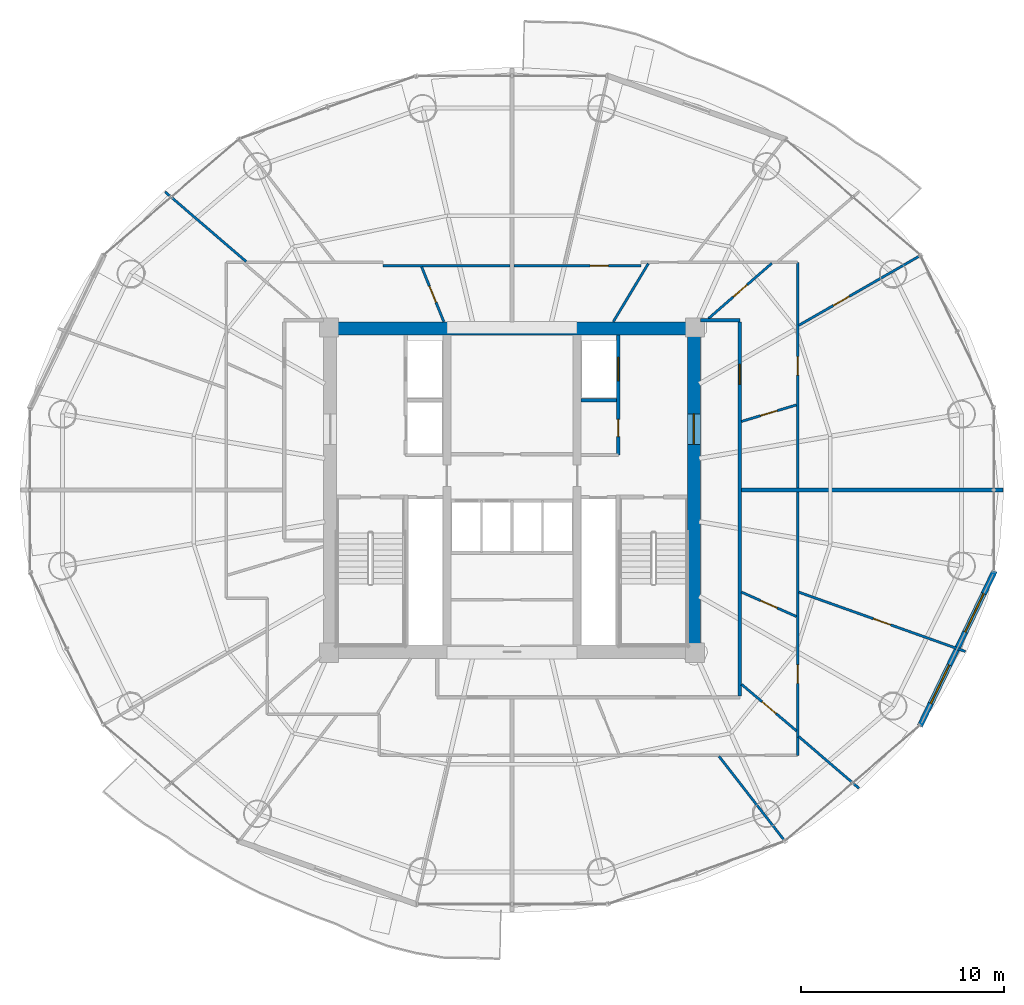
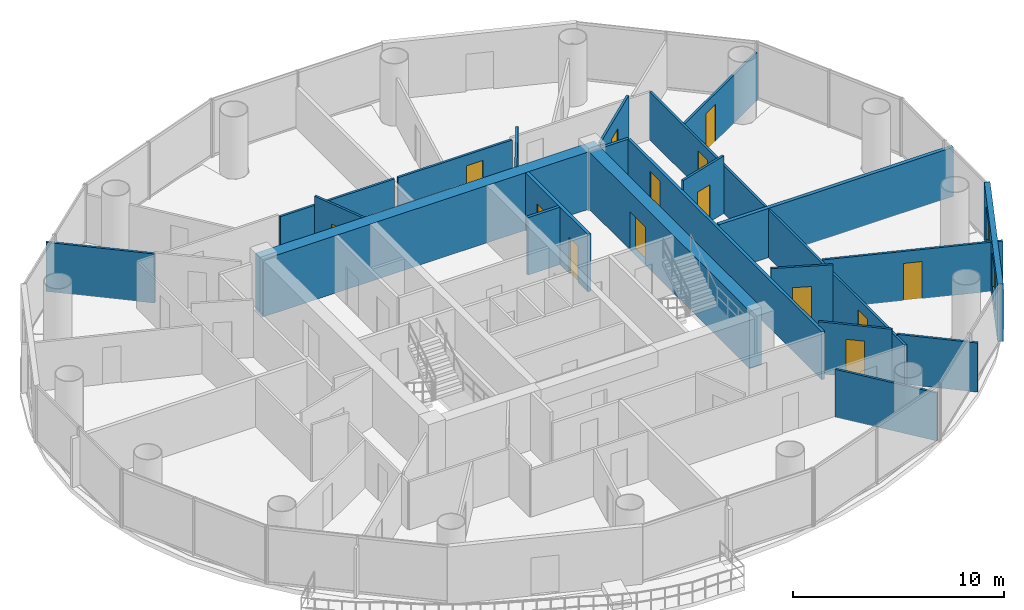
# One storey, part 23 of 27: 23 walls, 14 doors, 2 windows, 16 openings.
"""IFC4 building model written with IfcOpenShell, lengths in metres."""

from ifc_helpers import new_model, si_unit, direction, frame, frame_2d, origin, place, context, subcontext, project, spatial, rectangle, extrude, source, transform, mapped, material, layer, layer_set, type_object, element, fill, save


model = new_model("IFC4")

# Units and contexts
model_context = context("Model", 3, precision=1e-05, world=origin(), true_north=direction((-0.2419218956, 0.970295726276)))
body_context = subcontext(model_context, "Body", "Model", "MODEL_VIEW")
ifc_project = project(units=[si_unit("LENGTHUNIT", "METRE"), si_unit("AREAUNIT", "SQUARE_METRE"), si_unit("VOLUMEUNIT", "CUBIC_METRE"), si_unit("PLANEANGLEUNIT", "RADIAN"), si_unit("MASSUNIT", "GRAM", prefix="KILO")], contexts=[model_context])

# Site, building, storey
site_placement = place(None, origin())
site = spatial("IfcSite", under=ifc_project, at=site_placement, CompositionType="ELEMENT")
building_placement = place(site_placement, origin())
building = spatial("IfcBuilding", under=site, at=building_placement, Name="Cobrevalo Terracotta Tower", CompositionType="ELEMENT")
storey_placement = place(building_placement, frame((0.0, 0.0, 160.60009765625)))
storey = spatial("IfcBuildingStorey", under=building, at=storey_placement, Name="L42", CompositionType="ELEMENT", Elevation=160.60009765625)

# Wall
ifc_material_1 = material(Name="Concrete C55", Category="concrete")
ifc_layer_1 = layer(ifc_material_1, 0.64990234375)
ifc_layer_set_1 = layer_set([ifc_layer_1], Name="Concrete C55")
wall_type_1 = type_object("IfcWallType", Name="Core shear wall 650 mm Concrete C55", PredefinedType="SHEAR", material=ifc_layer_set_1)
wall_1_placement = place(storey_placement, frame((28.72509765625, 34.75, 0.0), z_axis=(0.0, 0.0, 1.0), x_axis=(1.0, 0.0, 0.0)))
element("IfcWall", 1, at=wall_1_placement, inside=storey, type_object=wall_type_1, Name="L42 north core shear wall", PredefinedType="SHEAR", context=body_context, shape_type="SweptSolid", body=[
    extrude(rectangle(XDim=18.5498046875, YDim=0.64990234375, at=frame_2d((9.27490234375, 0.0))), origin(), (0.0, 0.0, 1.0), 3.329833984375),
])

# Wall, opening, door
wall_2_placement = place(storey_placement, frame((46.949951171875, 19.175048828125, 0.0), z_axis=(0.0, 0.0, 1.0), x_axis=(0.0, 1.0, 0.0)))
wall_2 = element("IfcWall", 2, at=wall_2_placement, inside=storey, type_object=wall_type_1, Name="L42 east core shear wall", PredefinedType="SHEAR", context=body_context, shape_type="SweptSolid", body=[
    extrude(rectangle(XDim=15.25, YDim=0.64990234375, at=frame_2d((7.625, 0.0))), origin(), (0.0, 0.0, 1.0), 3.329833984375),
])
opening_1_placement = place(wall_2_placement, frame((9.875, 0.0, 0.0)))
opening_1 = element("IfcOpeningElement", 3, at=opening_1_placement, cuts=wall_2, Name="Opening ID-14", PredefinedType="OPENING", context=body_context, shape_type="SweptSolid", body=[
    extrude(rectangle(XDim=1.5, YDim=2.199951171875, at=frame_2d((0.75, 1.10009765625))), frame((0.0, 0.3349609375, 0.0), z_axis=(0.0, -1.0, 0.0), x_axis=(1.0, 0.0, 0.0)), (0.0, 0.0, 1.0), 0.669921875),
])
ifc_material_2 = material(Name="Galvanized fire-rated steel", Category="steel")
door_type_1 = type_object("IfcDoorType", Name="Core cross-lobby double fire door 1500x2200 EI 90", OperationType="NOTDEFINED", PredefinedType="DOOR", material=ifc_material_2)
shared_shape_1 = source(origin(), body_context, "Body", "SweptSolid", [
    extrude(rectangle(XDim=1.5, YDim=2.199951171875, at=frame_2d((0.75, 1.10009765625))), frame((0.0, 0.02490234375, 0.0), z_axis=(0.0, -1.0, 0.0), x_axis=(1.0, 0.0, 0.0)), (0.0, 0.0, 1.0), 0.050048828125),
])
door_1_placement = place(opening_1_placement, frame((1.5, 0.0, 0.0), z_axis=(0.0, 0.0, 1.0), x_axis=(-1.0, 0.0, 0.0)))
door_1 = element("IfcDoor", 4, at=door_1_placement, inside=storey, type_object=door_type_1, Name="L42 east firefighting lobby entrance door", OperationType="DOUBLE_DOOR_SINGLE_SWING", OverallHeight=2.199951171875, OverallWidth=1.5, PredefinedType="DOOR", context=body_context, shape_type="MappedRepresentation", body=[
    mapped(shared_shape_1, transform((0.0, 0.0, 0.0), scale=1.0)),
])
fill(opening_1, door_1)

# Wall
ifc_material_3 = material(Name="Gypsum board on steel stud", Category="steel")
ifc_layer_2 = layer(ifc_material_3, 0.159912109375)
ifc_layer_set_2 = layer_set([ifc_layer_2], Name="Gypsum board on steel stud")
wall_type_2 = type_object("IfcWallType", Name="Fire-rated corridor acoustic partition wall 160 mm", PredefinedType="PARTITIONING", material=ifc_layer_set_2)
wall_3_placement = place(storey_placement, frame((41.389892578125, 31.219970703125, 0.0), z_axis=(0.0, 0.0, 1.0), x_axis=(1.0, 0.0, 0.0)))
element("IfcWall", 5, at=wall_3_placement, inside=storey, type_object=wall_type_2, Name="L42 interior partition IW-L42-FF2-M", PredefinedType="PARTITIONING", context=body_context, shape_type="SweptSolid", body=[
    extrude(rectangle(XDim=1.75, YDim=0.159912109375, at=frame_2d((0.875, 0.0))), origin(), (0.0, 0.0, 1.0), 3.329833984375),
])

# Wall, opening, door
wall_4_placement = place(storey_placement, frame((49.205078125, 16.675048828125, 0.0), z_axis=(0.0, 0.0, 1.0), x_axis=(0.0, 1.0, 0.0)))
wall_4 = element("IfcWall", 6, at=wall_4_placement, inside=storey, type_object=wall_type_2, Name="L42 interior partition IW-L42-COR-E", PredefinedType="PARTITIONING", context=body_context, shape_type="SweptSolid", body=[
    extrude(rectangle(XDim=18.39990234375, YDim=0.159912109375, at=frame_2d((9.199951171875, 0.0))), origin(), (0.0, 0.0, 1.0), 2.77587890625),
])
opening_2_placement = place(wall_4_placement, frame((15.326416015625, 0.0, 0.0)))
opening_2 = element("IfcOpeningElement", 7, at=opening_2_placement, cuts=wall_4, Name="Opening ID-05", PredefinedType="OPENING", context=body_context, shape_type="SweptSolid", body=[
    extrude(rectangle(XDim=0.97998046875, YDim=2.199951171875, at=frame_2d((0.489990234375, 1.10009765625))), frame((0.0, 0.08984375, 0.0), z_axis=(0.0, -1.0, 0.0), x_axis=(1.0, 0.0, 0.0)), (0.0, 0.0, 1.0), 0.179931640625),
])
ifc_material_4 = material(Name="Solid hardwood timber", Category="wood")
door_type_2 = type_object("IfcDoorType", Name="Residence entrance fire-rated acoustic timber door 980x2200 EI 60", OperationType="NOTDEFINED", PredefinedType="DOOR", material=ifc_material_4)
shared_shape_2 = source(origin(), body_context, "Body", "SweptSolid", [
    extrude(rectangle(XDim=0.97998046875, YDim=2.199951171875, at=frame_2d((0.489990234375, 1.10009765625))), frame((0.0, 0.02490234375, 0.0), z_axis=(0.0, -1.0, 0.0), x_axis=(1.0, 0.0, 0.0)), (0.0, 0.0, 1.0), 0.050048828125),
])
door_2_placement = place(opening_2_placement, frame((0.97998046875, 0.0, 0.0), z_axis=(0.0, 0.0, 1.0), x_axis=(-1.0, 0.0, 0.0)))
door_2 = element("IfcDoor", 8, at=door_2_placement, inside=storey, type_object=door_type_2, Name="Flat L42A fire-rated apartment entrance door", OperationType="SINGLE_SWING_LEFT", OverallHeight=2.199951171875, OverallWidth=0.97998046875, PredefinedType="DOOR", context=body_context, shape_type="MappedRepresentation", body=[
    mapped(shared_shape_2, transform((0.0, 0.0, 0.0), scale=1.0)),
])
fill(opening_2, door_2)

# Wall
wall_5_placement = place(storey_placement, frame((47.27490234375, 35.155029296875, 0.0), z_axis=(0.0, 0.0, 1.0), x_axis=(1.0, 0.0, 0.0)))
element("IfcWall", 9, at=wall_5_placement, inside=storey, type_object=wall_type_2, Name="L42 interior partition IW-L42-COR-EN-CAP", PredefinedType="PARTITIONING", context=body_context, shape_type="SweptSolid", body=[
    extrude(rectangle(XDim=1.93017578125, YDim=0.159912109375, at=frame_2d((0.965087890625, 0.0))), origin(), (0.0, 0.0, 1.0), 2.77587890625),
])

# Wall, openings, doors
ifc_layer_3 = layer(ifc_material_3, 0.179931640625)
ifc_layer_set_3 = layer_set([ifc_layer_3], Name="Gypsum board on steel stud")
wall_type_3 = type_object("IfcWallType", Name="Fire-rated shaft & lobby acoustic partition wall 180 mm", PredefinedType="PARTITIONING", material=ifc_layer_set_3)
wall_6_placement = place(storey_placement, frame((43.22998046875, 28.52001953125, 0.0), z_axis=(0.0, 0.0, 1.0), x_axis=(0.0, 1.0, 0.0)))
wall_6 = element("IfcWall", 10, at=wall_6_placement, inside=storey, type_object=wall_type_3, Name="L42 interior partition IW-L42-FF2-E", PredefinedType="PARTITIONING", context=body_context, shape_type="SweptSolid", body=[
    extrude(rectangle(XDim=5.905029296875, YDim=0.179931640625, at=frame_2d((2.95263671875, 0.0))), origin(), (0.0, 0.0, 1.0), 3.329833984375),
])
opening_3_placement = place(wall_6_placement, frame((0.905029296875, 0.0, 0.0)))
opening_3 = element("IfcOpeningElement", 11, at=opening_3_placement, cuts=wall_6, Name="Opening ID-22", PredefinedType="OPENING", context=body_context, shape_type="SweptSolid", body=[
    extrude(rectangle(XDim=0.85009765625, YDim=2.10009765625, at=frame_2d((0.425048828125, 1.050048828125))), frame((0.0, 0.10009765625, 0.0), z_axis=(0.0, -1.0, 0.0), x_axis=(1.0, 0.0, 0.0)), (0.0, 0.0, 1.0), 0.199951171875),
])
opening_4_placement = place(wall_6_placement, frame((3.655029296875, 0.0, 0.0)))
opening_4 = element("IfcOpeningElement", 12, at=opening_4_placement, cuts=wall_6, Name="Opening LD-02", PredefinedType="OPENING", context=body_context, shape_type="SweptSolid", body=[
    extrude(rectangle(XDim=1.14990234375, YDim=2.199951171875, at=frame_2d((0.574951171875, 1.10009765625))), frame((0.0, 0.10009765625, 0.0), z_axis=(0.0, -1.0, 0.0), x_axis=(1.0, 0.0, 0.0)), (0.0, 0.0, 1.0), 0.199951171875),
])
ifc_material_5 = material(Name="Powder-coated steel", Category="steel")
door_type_3 = type_object("IfcDoorType", Name="Riser shaft & meter closet fire access door 850x2100 EI 60", OperationType="NOTDEFINED", PredefinedType="DOOR", material=ifc_material_5)
shared_shape_3 = source(origin(), body_context, "Body", "SweptSolid", [
    extrude(rectangle(XDim=0.85009765625, YDim=2.10009765625, at=frame_2d((0.425048828125, 1.050048828125))), frame((0.0, 0.02490234375, 0.0), z_axis=(0.0, -1.0, 0.0), x_axis=(1.0, 0.0, 0.0)), (0.0, 0.0, 1.0), 0.050048828125),
])
door_3_placement = place(opening_3_placement, frame((0.85009765625, 0.0, 0.0), z_axis=(0.0, 0.0, 1.0), x_axis=(-1.0, 0.0, 0.0)))
door_3 = element("IfcDoor", 13, at=door_3_placement, inside=storey, type_object=door_type_3, Name="L42 housekeeping store door", OperationType="SINGLE_SWING_RIGHT", OverallHeight=2.10009765625, OverallWidth=0.85009765625, PredefinedType="DOOR", context=body_context, shape_type="MappedRepresentation", body=[
    mapped(shared_shape_3, transform((0.0, 0.0, 0.0), scale=1.0)),
])
fill(opening_3, door_3)
ifc_material_6 = material(Name="Brushed stainless steel", Category="steel")
door_type_4 = type_object("IfcDoorType", Name="Firefighting lift landing bi-parting sliding door 1150x2200 EI 120", OperationType="DOUBLE_DOOR_SLIDING", PredefinedType="DOOR", material=ifc_material_6)
shared_shape_4 = source(origin(), body_context, "Body", "SweptSolid", [
    extrude(rectangle(XDim=1.14990234375, YDim=2.199951171875, at=frame_2d((0.574951171875, 1.10009765625))), frame((0.0, 0.02490234375, 0.0), z_axis=(0.0, -1.0, 0.0), x_axis=(1.0, 0.0, 0.0)), (0.0, 0.0, 1.0), 0.050048828125),
])
door_4_placement = place(opening_4_placement, origin())
door_4 = element("IfcDoor", 14, at=door_4_placement, inside=storey, type_object=door_type_4, Name="L42 lift landing door FF-2", OperationType="DOUBLE_DOOR_SLIDING", OverallHeight=2.199951171875, OverallWidth=1.14990234375, PredefinedType="DOOR", context=body_context, shape_type="MappedRepresentation", body=[
    mapped(shared_shape_4, transform((0.0, 0.0, 0.0), scale=1.0)),
])
fill(opening_4, door_4)

# Wall
ifc_material_7 = material(Name="Autoclaved aerated concrete block", Category="concrete")
ifc_layer_4 = layer(ifc_material_7, 0.199951171875)
ifc_layer_set_4 = layer_set([ifc_layer_4], Name="Autoclaved aerated concrete block")
wall_type_4 = type_object("IfcWallType", Name="Fire-rated stair, shaft & demising masonry wall 200 mm", PredefinedType="PARTITIONING", material=ifc_layer_set_4)
wall_7_placement = place(storey_placement, frame((49.287109375, 26.800048828125, 0.0), z_axis=(0.0, 0.0, 1.0), x_axis=(1.0, 0.0, 0.0)))
element("IfcWall", 15, at=wall_7_placement, inside=storey, type_object=wall_type_4, Name="L42 interior partition IW-L42-DEM-1", PredefinedType="PARTITIONING", context=body_context, shape_type="SweptSolid", body=[
    extrude(rectangle(XDim=12.852783203125, YDim=0.199951171875, at=frame_2d((6.42626953125, 0.0))), origin(), (0.0, 0.0, 1.0), 2.845947265625),
])

# Wall, openings, windows
ifc_layer_5 = layer(ifc_material_7, 0.280029296875)
ifc_layer_set_5 = layer_set([ifc_layer_5], Name="Autoclaved aerated concrete block")
wall_type_5 = type_object("IfcWallType", Name="Insulated tower spandrel & pier wall 280 mm with terracotta rainscreen", PredefinedType="SOLIDWALL", material=ifc_layer_set_5)
wall_8_placement = place(storey_placement, frame((58.061767578125, 15.188720703125, 0.0), z_axis=(0.0, 0.0, 1.0), x_axis=(0.434209827226, 0.900811759437, 0.0)))
wall_8 = element("IfcWall", 16, at=wall_8_placement, inside=storey, type_object=wall_type_5, Name="L42 terracotta rainscreen pier wall S15", PredefinedType="SOLIDWALL", context=body_context, shape_type="SweptSolid", body=[
    extrude(rectangle(XDim=8.4716796875, YDim=0.280029296875, at=frame_2d((4.23583984375, 0.0))), origin(), (0.0, 0.0, 1.0), 3.329833984375),
])
opening_5_placement = place(wall_8_placement, frame((1.2373046875, 0.0, 0.85009765625)))
opening_5 = element("IfcOpeningElement", 17, at=opening_5_placement, cuts=wall_8, Name="Opening WN-10", PredefinedType="OPENING", context=body_context, shape_type="SweptSolid", body=[
    extrude(rectangle(XDim=2.10009765625, YDim=1.949951171875, at=frame_2d((1.050048828125, 0.97509765625))), frame((0.0, 0.14990234375, 0.0), z_axis=(0.0, -1.0, 0.0), x_axis=(1.0, 0.0, 0.0)), (0.0, 0.0, 1.0), 0.300048828125),
])
opening_6_placement = place(wall_8_placement, frame((5.13427734375, 0.0, 0.85009765625)))
opening_6 = element("IfcOpeningElement", 18, at=opening_6_placement, cuts=wall_8, Name="Opening WN-10", PredefinedType="OPENING", context=body_context, shape_type="SweptSolid", body=[
    extrude(rectangle(XDim=2.10009765625, YDim=1.949951171875, at=frame_2d((1.050048828125, 0.97509765625))), frame((0.0, 0.14990234375, 0.0), z_axis=(0.0, -1.0, 0.0), x_axis=(1.0, 0.0, 0.0)), (0.0, 0.0, 1.0), 0.300048828125),
])
ifc_material_8 = material(Name="Solar-control low-E double glazing", Category="glass")
window_type = type_object("IfcWindowType", Name="Wide panoramic low-E aluminium window 2100x1950", PartitioningType="SINGLE_PANEL", PredefinedType="WINDOW", material=ifc_material_8)
shared_shape_5 = source(origin(), body_context, "Body", "SweptSolid", [
    extrude(rectangle(XDim=2.10009765625, YDim=1.949951171875, at=frame_2d((1.050048828125, 0.97509765625))), frame((0.0, 0.030029296875, 0.0), z_axis=(0.0, -1.0, 0.0), x_axis=(1.0, 0.0, 0.0)), (0.0, 0.0, 1.0), 0.06005859375),
])
window_1_placement = place(opening_5_placement, origin())
window_1 = element("IfcWindow", 19, at=window_1_placement, inside=storey, type_object=window_type, Name="L42 suite window S15A", OverallHeight=1.949951171875, OverallWidth=2.10009765625, PartitioningType="SINGLE_PANEL", PredefinedType="WINDOW", context=body_context, shape_type="MappedRepresentation", body=[
    mapped(shared_shape_5, transform((0.0, 0.0, 0.0), scale=1.0)),
])
fill(opening_5, window_1)
window_2_placement = place(opening_6_placement, origin())
window_2 = element("IfcWindow", 20, at=window_2_placement, inside=storey, type_object=window_type, Name="L42 suite window S15B", OverallHeight=1.949951171875, OverallWidth=2.10009765625, PartitioningType="SINGLE_PANEL", PredefinedType="WINDOW", context=body_context, shape_type="MappedRepresentation", body=[
    mapped(shared_shape_5, transform((0.0, 0.0, 0.0), scale=1.0)),
])
fill(opening_6, window_2)

# Wall, opening, door
ifc_layer_6 = layer(ifc_material_3, 0.1201171875)
ifc_layer_set_6 = layer_set([ifc_layer_6], Name="Gypsum board on steel stud")
wall_type_6 = type_object("IfcWallType", Name="Residential internal acoustic stud partition 120 mm", PredefinedType="PARTITIONING", material=ifc_layer_set_6)
wall_9_placement = place(storey_placement, frame((38.10205078125, 37.8349609375, 0.0), z_axis=(0.0, 0.0, 1.0), x_axis=(1.0, 0.0, 0.0)))
wall_9 = element("IfcWall", 21, at=wall_9_placement, inside=storey, type_object=wall_type_6, Name="L42 interior partition IW-L42-U1-RING0_0", PredefinedType="PARTITIONING", context=body_context, shape_type="SweptSolid", body=[
    extrude(rectangle(XDim=6.2529296875, YDim=0.1201171875, at=frame_2d((3.12646484375, 0.0))), origin(), (0.0, 0.0, 1.0), 2.77587890625),
])
opening_7_placement = place(wall_9_placement, frame((3.742431640625, 0.0, 0.0)))
opening_7 = element("IfcOpeningElement", 22, at=opening_7_placement, cuts=wall_9, Name="Opening ID-12", PredefinedType="OPENING", context=body_context, shape_type="SweptSolid", body=[
    extrude(rectangle(XDim=0.89990234375, YDim=2.14990234375, at=frame_2d((0.449951171875, 1.074951171875))), frame((0.0, 0.070068359375, 0.0), z_axis=(0.0, -1.0, 0.0), x_axis=(1.0, 0.0, 0.0)), (0.0, 0.0, 1.0), 0.14013671875),
])
ifc_material_9 = material(Name="Engineered timber", Category="wood")
door_type_5 = type_object("IfcDoorType", Name="Internal residence & suite timber door 900x2150", OperationType="NOTDEFINED", PredefinedType="DOOR", material=ifc_material_9)
shared_shape_6 = source(origin(), body_context, "Body", "SweptSolid", [
    extrude(rectangle(XDim=0.89990234375, YDim=2.14990234375, at=frame_2d((0.449951171875, 1.074951171875))), frame((0.0, 0.02490234375, 0.0), z_axis=(0.0, -1.0, 0.0), x_axis=(1.0, 0.0, 0.0)), (0.0, 0.0, 1.0), 0.050048828125),
])
door_5_placement = place(opening_7_placement, frame((0.89990234375, 0.0, 0.0), z_axis=(0.0, 0.0, 1.0), x_axis=(-1.0, 0.0, 0.0)))
door_5 = element("IfcDoor", 23, at=door_5_placement, inside=storey, type_object=door_type_5, Name="Flat L42A Private Library Meeting Room internal door", OperationType="SINGLE_SWING_RIGHT", OverallHeight=2.14990234375, OverallWidth=0.89990234375, PredefinedType="DOOR", context=body_context, shape_type="MappedRepresentation", body=[
    mapped(shared_shape_6, transform((0.0, 0.0, 0.0), scale=1.0)),
])
fill(opening_7, door_5)

wall_10_placement = place(storey_placement, frame((52.044921875, 37.9951171875, 0.0), z_axis=(0.0, 0.0, 1.0), x_axis=(0.0, -1.0, 0.0)))
wall_10 = element("IfcWall", 24, at=wall_10_placement, inside=storey, type_object=wall_type_6, Name="L42 interior partition IW-L42-U1-RING3_0", PredefinedType="PARTITIONING", context=body_context, shape_type="SweptSolid", body=[
    extrude(rectangle(XDim=11.093017578125, YDim=0.1201171875, at=frame_2d((5.54638671875, 0.0))), origin(), (0.0, 0.0, 1.0), 2.77587890625),
])
opening_8_placement = place(wall_10_placement, frame((4.637939453125, 0.0, 0.0)))
opening_8 = element("IfcOpeningElement", 25, at=opening_8_placement, cuts=wall_10, Name="Opening ID-12", PredefinedType="OPENING", context=body_context, shape_type="SweptSolid", body=[
    extrude(rectangle(XDim=0.89990234375, YDim=2.14990234375, at=frame_2d((0.449951171875, 1.074951171875))), frame((0.0, 0.070068359375, 0.0), z_axis=(0.0, -1.0, 0.0), x_axis=(1.0, 0.0, 0.0)), (0.0, 0.0, 1.0), 0.14013671875),
])
door_6_placement = place(opening_8_placement, origin())
door_6 = element("IfcDoor", 26, at=door_6_placement, inside=storey, type_object=door_type_5, Name="Flat L42A Penthouse Living and Dining Room internal door", OperationType="SINGLE_SWING_LEFT", OverallHeight=2.14990234375, OverallWidth=0.89990234375, PredefinedType="DOOR", context=body_context, shape_type="MappedRepresentation", body=[
    mapped(shared_shape_6, transform((0.0, 0.0, 0.0), scale=1.0)),
])
fill(opening_8, door_6)

wall_11_placement = place(storey_placement, frame((52.098876953125, 34.89697265625, 0.0), z_axis=(0.0, 0.0, 1.0), x_axis=(0.867170536447, 0.498011305813, 0.0)))
wall_11 = element("IfcWall", 27, at=wall_11_placement, inside=storey, type_object=wall_type_6, Name="L42 interior partition IW-L42-U1-ORAD1", PredefinedType="PARTITIONING", context=body_context, shape_type="SweptSolid", body=[
    extrude(rectangle(XDim=6.834228515625, YDim=0.1201171875, at=frame_2d((3.4169921875, 0.0))), origin(), (0.0, 0.0, 1.0), 2.77587890625),
])
opening_9_placement = place(wall_11_placement, frame((1.969482421875, 0.0, 0.0)))
opening_9 = element("IfcOpeningElement", 28, at=opening_9_placement, cuts=wall_11, Name="Opening ID-12", PredefinedType="OPENING", context=body_context, shape_type="SweptSolid", body=[
    extrude(rectangle(XDim=0.89990234375, YDim=2.14990234375, at=frame_2d((0.449951171875, 1.074951171875))), frame((0.0, 0.070068359375, 0.0), z_axis=(0.0, -1.0, 0.0), x_axis=(1.0, 0.0, 0.0)), (0.0, 0.0, 1.0), 0.14013671875),
])
door_7_placement = place(opening_9_placement, origin())
door_7 = element("IfcDoor", 29, at=door_7_placement, inside=storey, type_object=door_type_5, Name="Flat L42A Master Bedroom internal door", OperationType="SINGLE_SWING_LEFT", OverallHeight=2.14990234375, OverallWidth=0.89990234375, PredefinedType="DOOR", context=body_context, shape_type="MappedRepresentation", body=[
    mapped(shared_shape_6, transform((0.0, 0.0, 0.0), scale=1.0)),
])
fill(opening_9, door_7)

wall_12_placement = place(storey_placement, frame((49.286865234375, 30.176513671875, 0.0), z_axis=(0.0, 0.0, 1.0), x_axis=(0.958045462778, 0.28661627876, 0.0)))
wall_12 = element("IfcWall", 30, at=wall_12_placement, inside=storey, type_object=wall_type_6, Name="L42 interior partition IW-L42-U1-IRAD1", PredefinedType="PARTITIONING", context=body_context, shape_type="SweptSolid", body=[
    extrude(rectangle(XDim=2.81689453125, YDim=0.1201171875, at=frame_2d((1.408447265625, 0.0))), origin(), (0.0, 0.0, 1.0), 3.329833984375),
])
opening_10_placement = place(wall_12_placement, frame((0.978515625, 0.0, 0.0)))
opening_10 = element("IfcOpeningElement", 31, at=opening_10_placement, cuts=wall_12, Name="Opening ID-19", PredefinedType="OPENING", context=body_context, shape_type="SweptSolid", body=[
    extrude(rectangle(XDim=0.860107421875, YDim=2.14990234375, at=frame_2d((0.43017578125, 1.074951171875))), frame((0.0, 0.070068359375, 0.0), z_axis=(0.0, -1.0, 0.0), x_axis=(1.0, 0.0, 0.0)), (0.0, 0.0, 1.0), 0.14013671875),
])
ifc_material_10 = material(Name="Moisture-sealed timber", Category="wood")
door_type_6 = type_object("IfcDoorType", Name="Suite bathroom internal timber door 860x2150", OperationType="NOTDEFINED", PredefinedType="DOOR", material=ifc_material_10)
shared_shape_7 = source(origin(), body_context, "Body", "SweptSolid", [
    extrude(rectangle(XDim=0.860107421875, YDim=2.14990234375, at=frame_2d((0.43017578125, 1.074951171875))), frame((0.0, 0.02490234375, 0.0), z_axis=(0.0, -1.0, 0.0), x_axis=(1.0, 0.0, 0.0)), (0.0, 0.0, 1.0), 0.050048828125),
])
door_8_placement = place(opening_10_placement, frame((0.860107421875, 0.0, 0.0), z_axis=(0.0, 0.0, 1.0), x_axis=(-1.0, 0.0, 0.0)))
door_8 = element("IfcDoor", 32, at=door_8_placement, inside=storey, type_object=door_type_6, Name="Flat L42A Primary Bathroom internal door", OperationType="SINGLE_SWING_RIGHT", OverallHeight=2.14990234375, OverallWidth=0.860107421875, PredefinedType="DOOR", context=body_context, shape_type="MappedRepresentation", body=[
    mapped(shared_shape_7, transform((0.0, 0.0, 0.0), scale=1.0)),
])
fill(opening_10, door_8)

wall_13_placement = place(storey_placement, frame((47.665283203125, 35.236328125, 0.0), z_axis=(0.0, 0.0, 1.0), x_axis=(0.753384754287, 0.657579966246, 0.0)))
wall_13 = element("IfcWall", 33, at=wall_13_placement, inside=storey, type_object=wall_type_6, Name="L42 interior partition IW-L42-U1-IRAD2", PredefinedType="PARTITIONING", context=body_context, shape_type="SweptSolid", body=[
    extrude(rectangle(XDim=4.13330078125, YDim=0.1201171875, at=frame_2d((2.066650390625, 0.0))), origin(), (0.0, 0.0, 1.0), 3.0048828125),
])
opening_11_placement = place(wall_13_placement, frame((1.61669921875, 0.0, 0.0)))
opening_11 = element("IfcOpeningElement", 34, at=opening_11_placement, cuts=wall_13, Name="Opening ID-12", PredefinedType="OPENING", context=body_context, shape_type="SweptSolid", body=[
    extrude(rectangle(XDim=0.89990234375, YDim=2.14990234375, at=frame_2d((0.449951171875, 1.074951171875))), frame((0.0, 0.070068359375, 0.0), z_axis=(0.0, -1.0, 0.0), x_axis=(1.0, 0.0, 0.0)), (0.0, 0.0, 1.0), 0.14013671875),
])
door_9_placement = place(opening_11_placement, origin())
door_9 = element("IfcDoor", 35, at=door_9_placement, inside=storey, type_object=door_type_5, Name="Flat L42A Kitchen internal door", OperationType="SINGLE_SWING_RIGHT", OverallHeight=2.14990234375, OverallWidth=0.89990234375, PredefinedType="DOOR", context=body_context, shape_type="MappedRepresentation", body=[
    mapped(shared_shape_6, transform((0.0, 0.0, 0.0), scale=1.0)),
])
fill(opening_11, door_9)

# Walls
wall_14_placement = place(storey_placement, frame((42.98046875, 35.074951171875, 0.0), z_axis=(0.0, 0.0, 1.0), x_axis=(0.515686235332, 0.856777512946, 0.0)))
element("IfcWall", 36, at=wall_14_placement, inside=storey, type_object=wall_type_6, Name="L42 interior partition IW-L42-U1-IRAD3", PredefinedType="PARTITIONING", context=body_context, shape_type="SweptSolid", body=[
    extrude(rectangle(XDim=3.34619140625, YDim=0.1201171875, at=frame_2d((1.673095703125, 0.0))), origin(), (0.0, 0.0, 1.0), 3.329833984375),
])
wall_15_placement = place(storey_placement, frame((31.64501953125, 37.8349609375, 0.0), z_axis=(0.0, 0.0, 1.0), x_axis=(1.0, 0.0, 0.0)))
element("IfcWall", 37, at=wall_15_placement, inside=storey, type_object=wall_type_6, Name="L42 interior partition IW-L42-U2-RING3_0", PredefinedType="PARTITIONING", context=body_context, shape_type="SweptSolid", body=[
    extrude(rectangle(XDim=6.2529296875, YDim=0.1201171875, at=frame_2d((3.12646484375, 0.0))), origin(), (0.0, 0.0, 1.0), 2.77587890625),
])
wall_16_placement = place(storey_placement, frame((24.927978515625, 38.035400390625, 0.0), z_axis=(0.0, 0.0, 1.0), x_axis=(-0.758368609512, 0.65182593697, 0.0)))
element("IfcWall", 38, at=wall_16_placement, inside=storey, type_object=wall_type_6, Name="L42 interior partition IW-L42-U2-ORAD2M1", PredefinedType="PARTITIONING", context=body_context, shape_type="SweptSolid", body=[
    extrude(rectangle(XDim=5.263427734375, YDim=0.1201171875, at=frame_2d((2.6318359375, 0.0))), origin(), (0.0, 0.0, 1.0), 2.845947265625),
])

# Wall, opening, door
wall_17_placement = place(storey_placement, frame((34.64892578125, 35.074951171875, 0.0), z_axis=(0.0, 0.0, 1.0), x_axis=(-0.37535719187, 0.926880239573, 0.0)))
wall_17 = element("IfcWall", 39, at=wall_17_placement, inside=storey, type_object=wall_type_6, Name="L42 interior partition IW-L42-U2-IRAD1", PredefinedType="PARTITIONING", context=body_context, shape_type="SweptSolid", body=[
    extrude(rectangle(XDim=2.915771484375, YDim=0.1201171875, at=frame_2d((1.4580078125, 0.0))), origin(), (0.0, 0.0, 1.0), 3.329833984375),
])
opening_12_placement = place(wall_17_placement, frame((1.02783203125, 0.0, 0.0)))
opening_12 = element("IfcOpeningElement", 40, at=opening_12_placement, cuts=wall_17, Name="Opening ID-19", PredefinedType="OPENING", context=body_context, shape_type="SweptSolid", body=[
    extrude(rectangle(XDim=0.860107421875, YDim=2.14990234375, at=frame_2d((0.43017578125, 1.074951171875))), frame((0.0, 0.070068359375, 0.0), z_axis=(0.0, -1.0, 0.0), x_axis=(1.0, 0.0, 0.0)), (0.0, 0.0, 1.0), 0.14013671875),
])
door_10_placement = place(opening_12_placement, frame((0.860107421875, 0.0, 0.0), z_axis=(0.0, 0.0, 1.0), x_axis=(-1.0, 0.0, 0.0)))
door_10 = element("IfcDoor", 41, at=door_10_placement, inside=storey, type_object=door_type_6, Name="Flat L42B Primary Bathroom internal door", OperationType="SINGLE_SWING_LEFT", OverallHeight=2.14990234375, OverallWidth=0.860107421875, PredefinedType="DOOR", context=body_context, shape_type="MappedRepresentation", body=[
    mapped(shared_shape_7, transform((0.0, 0.0, 0.0), scale=1.0)),
])
fill(opening_12, door_10)

wall_18_placement = place(storey_placement, frame((52.044921875, 26.697998046875, 0.0), z_axis=(0.0, 0.0, 1.0), x_axis=(0.0, -1.0, 0.0)))
wall_18 = element("IfcWall", 42, at=wall_18_placement, inside=storey, type_object=wall_type_6, Name="L42 interior partition IW-L42-U4-RING0_0", PredefinedType="PARTITIONING", context=body_context, shape_type="SweptSolid", body=[
    extrude(rectangle(XDim=12.943115234375, YDim=0.1201171875, at=frame_2d((6.4716796875, 0.0))), origin(), (0.0, 0.0, 1.0), 2.77587890625),
])
opening_13_placement = place(wall_18_placement, frame((8.502685546875, 0.0, 0.0)))
opening_13 = element("IfcOpeningElement", 43, at=opening_13_placement, cuts=wall_18, Name="Opening ID-12", PredefinedType="OPENING", context=body_context, shape_type="SweptSolid", body=[
    extrude(rectangle(XDim=0.89990234375, YDim=2.14990234375, at=frame_2d((0.449951171875, 1.074951171875))), frame((0.0, 0.070068359375, 0.0), z_axis=(0.0, -1.0, 0.0), x_axis=(1.0, 0.0, 0.0)), (0.0, 0.0, 1.0), 0.14013671875),
])
door_11_placement = place(opening_13_placement, origin())
door_11 = element("IfcDoor", 44, at=door_11_placement, inside=storey, type_object=door_type_5, Name="Flat L42D Principal Guest Bedroom internal door", OperationType="SINGLE_SWING_LEFT", OverallHeight=2.14990234375, OverallWidth=0.89990234375, PredefinedType="DOOR", context=body_context, shape_type="MappedRepresentation", body=[
    mapped(shared_shape_6, transform((0.0, 0.0, 0.0), scale=1.0)),
])
fill(opening_13, door_11)

# Walls
wall_19_placement = place(storey_placement, frame((48.17919921875, 13.7060546875, 0.0), z_axis=(0.0, 0.0, 1.0), x_axis=(0.613759011764, -0.789493429662, 0.0)))
element("IfcWall", 45, at=wall_19_placement, inside=storey, type_object=wall_type_6, Name="L42 interior partition IW-L42-U4-ORAD1", PredefinedType="PARTITIONING", context=body_context, shape_type="SweptSolid", body=[
    extrude(rectangle(XDim=5.21240234375, YDim=0.1201171875, at=frame_2d((2.606201171875, 0.0))), origin(), (0.0, 0.0, 1.0), 2.77587890625),
])
wall_20_placement = place(storey_placement, frame((52.092041015625, 14.687744140625, 0.0), z_axis=(0.0, 0.0, 1.0), x_axis=(0.758367509429, -0.651827216862, 0.0)))
element("IfcWall", 46, at=wall_20_placement, inside=storey, type_object=wall_type_6, Name="L42 interior partition IW-L42-U4-ORAD2M1", PredefinedType="PARTITIONING", context=body_context, shape_type="SweptSolid", body=[
    extrude(rectangle(XDim=3.91845703125, YDim=0.1201171875, at=frame_2d((1.959228515625, 0.0))), origin(), (0.0, 0.0, 1.0), 2.845947265625),
])

# Wall, opening, door
wall_21_placement = place(storey_placement, frame((52.103515625, 21.77880859375, 0.0), z_axis=(0.0, 0.0, 1.0), x_axis=(0.942081743482, -0.335383345736, 0.0)))
wall_21 = element("IfcWall", 47, at=wall_21_placement, inside=storey, type_object=wall_type_6, Name="L42 interior partition IW-L42-U4-ORAD2", PredefinedType="PARTITIONING", context=body_context, shape_type="SweptSolid", body=[
    extrude(rectangle(XDim=8.69970703125, YDim=0.1201171875, at=frame_2d((4.349853515625, 0.0))), origin(), (0.0, 0.0, 1.0), 2.845947265625),
])
opening_14_placement = place(wall_21_placement, frame((3.89990234375, 0.0, 0.0)))
opening_14 = element("IfcOpeningElement", 48, at=opening_14_placement, cuts=wall_21, Name="Opening ID-12", PredefinedType="OPENING", context=body_context, shape_type="SweptSolid", body=[
    extrude(rectangle(XDim=0.89990234375, YDim=2.14990234375, at=frame_2d((0.449951171875, 1.074951171875))), frame((0.0, 0.070068359375, 0.0), z_axis=(0.0, -1.0, 0.0), x_axis=(1.0, 0.0, 0.0)), (0.0, 0.0, 1.0), 0.14013671875),
])
door_12_placement = place(opening_14_placement, origin())
door_12 = element("IfcDoor", 49, at=door_12_placement, inside=storey, type_object=door_type_5, Name="Flat L42D Penthouse Family Lounge internal door", OperationType="SINGLE_SWING_RIGHT", OverallHeight=2.14990234375, OverallWidth=0.89990234375, PredefinedType="DOOR", context=body_context, shape_type="MappedRepresentation", body=[
    mapped(shared_shape_6, transform((0.0, 0.0, 0.0), scale=1.0)),
])
fill(opening_14, door_12)

wall_22_placement = place(storey_placement, frame((49.28662109375, 17.24755859375, 0.0), z_axis=(0.0, 0.0, 1.0), x_axis=(0.763274158734, -0.646074731443, 0.0)))
wall_22 = element("IfcWall", 50, at=wall_22_placement, inside=storey, type_object=wall_type_6, Name="L42 interior partition IW-L42-U4-IRAD2", PredefinedType="PARTITIONING", context=body_context, shape_type="SweptSolid", body=[
    extrude(rectangle(XDim=3.5517578125, YDim=0.1201171875, at=frame_2d((1.77587890625, 0.0))), origin(), (0.0, 0.0, 1.0), 3.0048828125),
])
opening_15_placement = place(wall_22_placement, frame((1.325927734375, 0.0, 0.0)))
opening_15 = element("IfcOpeningElement", 51, at=opening_15_placement, cuts=wall_22, Name="Opening ID-12", PredefinedType="OPENING", context=body_context, shape_type="SweptSolid", body=[
    extrude(rectangle(XDim=0.89990234375, YDim=2.14990234375, at=frame_2d((0.449951171875, 1.074951171875))), frame((0.0, 0.070068359375, 0.0), z_axis=(0.0, -1.0, 0.0), x_axis=(1.0, 0.0, 0.0)), (0.0, 0.0, 1.0), 0.14013671875),
])
door_13_placement = place(opening_15_placement, origin())
door_13 = element("IfcDoor", 52, at=door_13_placement, inside=storey, type_object=door_type_5, Name="Flat L42D Kitchen internal door", OperationType="SINGLE_SWING_RIGHT", OverallHeight=2.14990234375, OverallWidth=0.89990234375, PredefinedType="DOOR", context=body_context, shape_type="MappedRepresentation", body=[
    mapped(shared_shape_6, transform((0.0, 0.0, 0.0), scale=1.0)),
])
fill(opening_15, door_13)

wall_23_placement = place(storey_placement, frame((49.286865234375, 21.781494140625, 0.0), z_axis=(0.0, 0.0, 1.0), x_axis=(0.913743428873, -0.406291700864, 0.0)))
wall_23 = element("IfcWall", 53, at=wall_23_placement, inside=storey, type_object=wall_type_6, Name="L42 interior partition IW-L42-U4-IRAD3", PredefinedType="PARTITIONING", context=body_context, shape_type="SweptSolid", body=[
    extrude(rectangle(XDim=2.95654296875, YDim=0.1201171875, at=frame_2d((1.478271484375, 0.0))), origin(), (0.0, 0.0, 1.0), 3.329833984375),
])
opening_16_placement = place(wall_23_placement, frame((1.0283203125, 0.0, 0.0)))
opening_16 = element("IfcOpeningElement", 54, at=opening_16_placement, cuts=wall_23, Name="Opening ID-12", PredefinedType="OPENING", context=body_context, shape_type="SweptSolid", body=[
    extrude(rectangle(XDim=0.89990234375, YDim=2.14990234375, at=frame_2d((0.449951171875, 1.074951171875))), frame((0.0, 0.070068359375, 0.0), z_axis=(0.0, -1.0, 0.0), x_axis=(1.0, 0.0, 0.0)), (0.0, 0.0, 1.0), 0.14013671875),
])
door_14_placement = place(opening_16_placement, origin())
door_14 = element("IfcDoor", 55, at=door_14_placement, inside=storey, type_object=door_type_5, Name="Flat L42D Private Library Meeting Room internal door", OperationType="SINGLE_SWING_LEFT", OverallHeight=2.14990234375, OverallWidth=0.89990234375, PredefinedType="DOOR", context=body_context, shape_type="MappedRepresentation", body=[
    mapped(shared_shape_6, transform((0.0, 0.0, 0.0), scale=1.0)),
])
fill(opening_16, door_14)

save(model, "model.ifc")
